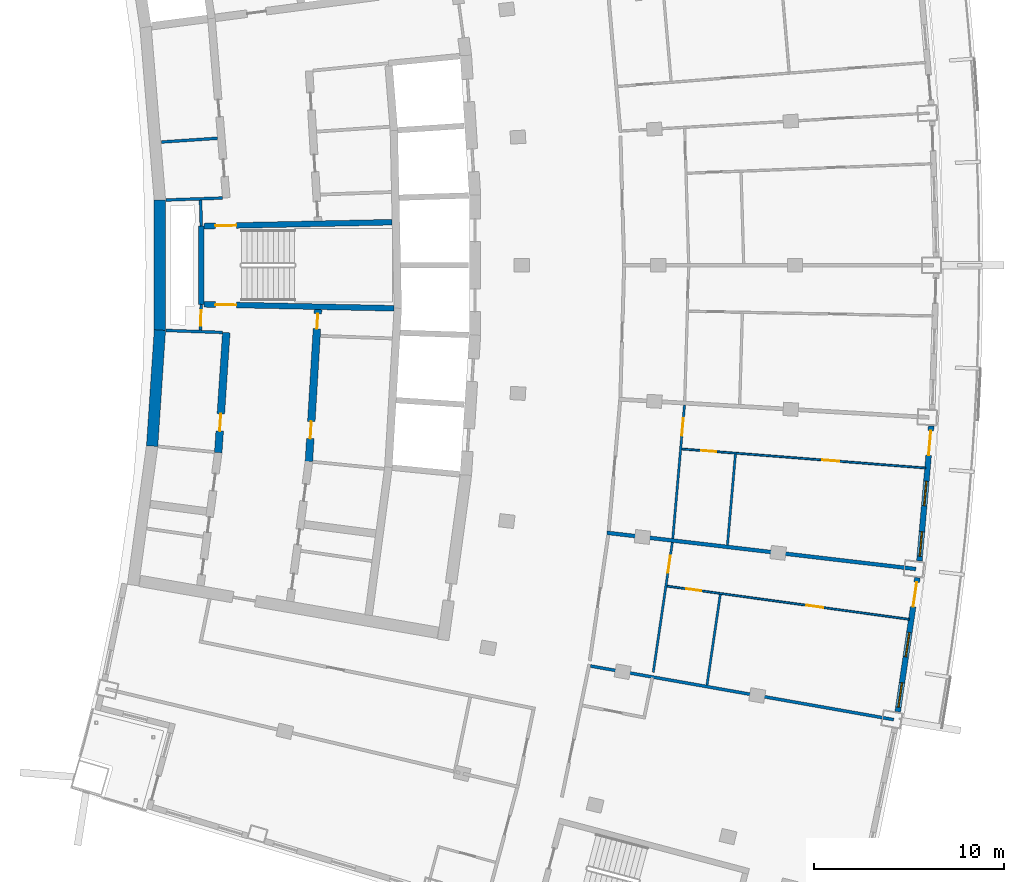
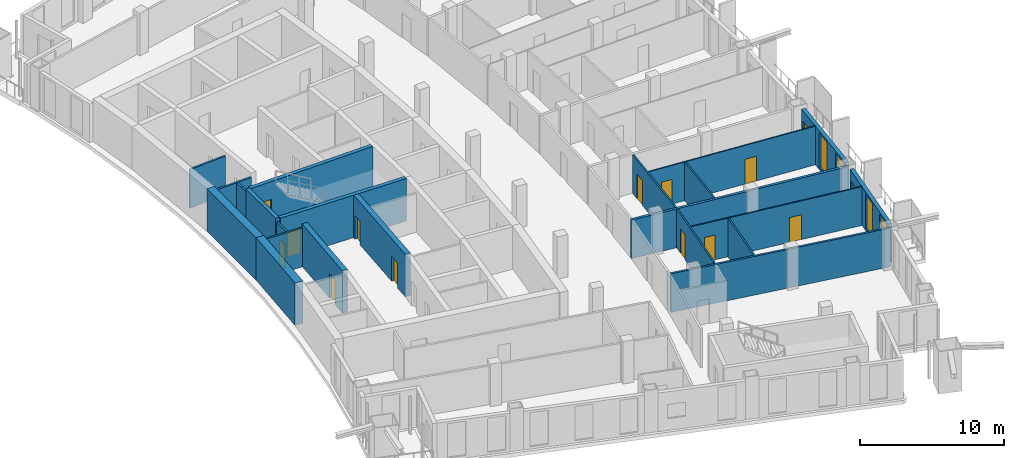
# One storey, part 11 of 19: 22 walls, 14 doors, 4 windows, 18 openings.
"""IFC4 building model written with IfcOpenShell, lengths in metres."""

from ifc_helpers import new_model, si_unit, direction, frame, frame_2d, origin, place, context, subcontext, project, spatial, rectangle, extrude, material, layer, layer_set, type_object, element, fill, save


model = new_model("IFC4")

# Units and contexts
model_context = context("Model", 3, precision=1e-05, world=origin(), true_north=direction((0.0, 1.0)))
body_context = subcontext(model_context, "Body", "Model", "MODEL_VIEW")
ifc_project = project(units=[si_unit("LENGTHUNIT", "METRE"), si_unit("AREAUNIT", "SQUARE_METRE"), si_unit("VOLUMEUNIT", "CUBIC_METRE"), si_unit("PLANEANGLEUNIT", "RADIAN"), si_unit("MASSUNIT", "GRAM", prefix="KILO")], contexts=[model_context])

# Site, building, storey
site_placement = place(None, origin())
site = spatial("IfcSite", under=ifc_project, at=site_placement, CompositionType="ELEMENT")
building_placement = place(site_placement, origin())
building = spatial("IfcBuilding", under=site, at=building_placement, Name="Alderwake Tower", CompositionType="ELEMENT")
storey_placement = place(building_placement, frame((0.0, 0.0, 228.800048828125)))
storey = spatial("IfcBuildingStorey", under=building, at=storey_placement, Name="L57", CompositionType="ELEMENT", Elevation=228.800048828125)

# Wall, opening, door
ifc_material_1 = material(Name="Gypsum shaft wall system, rated")
ifc_layer_1 = layer(ifc_material_1, 0.14990234375)
ifc_layer_set_1 = layer_set([ifc_layer_1], Name="Core room partition 150")
wall_type_1 = type_object("IfcWallType", Name="Core room partition 150", PredefinedType="PARTITIONING", material=ifc_layer_set_1)
wall_1_placement = place(storey_placement, frame((18.918701171875, 58.94384765625, 0.0), z_axis=(0.0, 0.0, 1.0), x_axis=(-0.027811602725, -0.999613182563, 0.0)))
wall_1 = element("IfcWall", 1, at=wall_1_placement, inside=storey, type_object=wall_type_1, Name="CW/L57/PA+24_-37", PredefinedType="PARTITIONING", context=body_context, shape_type="SweptSolid", body=[
    extrude(rectangle(XDim=1.369384765625, YDim=0.14990234375, at=frame_2d((0.6845703125, 0.0))), origin(), (0.0, 0.0, 1.0), 3.280029296875),
])
opening_1_placement = place(wall_1_placement, frame((0.322998046875, 0.0, 0.0)))
opening_1 = element("IfcOpeningElement", 2, at=opening_1_placement, cuts=wall_1, Name="Opening C004", PredefinedType="OPENING", context=body_context, shape_type="SweptSolid", body=[
    extrude(rectangle(XDim=0.800048828125, YDim=2.0, at=frame_2d((0.39990234375, 1.0))), frame((0.0, 0.0849609375, 0.0), z_axis=(0.0, -1.0, 0.0), x_axis=(1.0, 0.0, 0.0)), (0.0, 0.0, 1.0), 0.169921875),
])
ifc_material_2 = material(Name="Painted steel leaf, rated", Category="steel")
door_type_1 = type_object("IfcDoorType", Name="Riser access door 800", OperationType="SINGLE_SWING_LEFT", PredefinedType="DOOR", material=ifc_material_2)
door_1_placement = place(opening_1_placement, origin())
door_1 = element("IfcDoor", 3, at=door_1_placement, inside=storey, type_object=door_type_1, Name="Riser access door", OperationType="SINGLE_SWING_RIGHT", OverallHeight=2.0, OverallWidth=0.800048828125, PredefinedType="DOOR", context=body_context, shape_type="SweptSolid", body=[
    extrude(rectangle(XDim=0.800048828125, YDim=2.0, at=frame_2d((0.39990234375, 1.0))), frame((0.0, 0.02490234375, 0.0), z_axis=(0.0, -1.0, 0.0), x_axis=(1.0, 0.0, 0.0)), (0.0, 0.0, 1.0), 0.050048828125),
])
fill(opening_1, door_1)

# Walls
wall_2_placement = place(storey_placement, frame((18.918701171875, 63.05517578125, 0.0), z_axis=(0.0, 0.0, 1.0), x_axis=(-0.027791791559, 0.99961373356, 0.0)))
element("IfcWall", 4, at=wall_2_placement, inside=storey, type_object=wall_type_1, Name="CW/L57/PA+24_+22", PredefinedType="PARTITIONING", context=body_context, shape_type="SweptSolid", body=[
    extrude(rectangle(XDim=1.370361328125, YDim=0.14990234375, at=frame_2d((0.68505859375, 0.0))), origin(), (0.0, 0.0, 1.0), 3.280029296875),
])
for number, where, z_axis, x_axis, name in (
    (5, (17.0693359375, 57.56396484375, 0.0), (0.0, 0.0, 1.0), (0.999374945052, -0.03535136775, 0.0), "CW/L57/PR-37_+0"),
    (6, (17.0693359375, 64.43603515625, 0.0), (0.0, 0.0, 1.0), (0.999374945052, 0.03535136775, 0.0), "CW/L57/PR+37_+0"),
):
    element("IfcWall", number, at=place(storey_placement, frame(where, z_axis=z_axis, x_axis=x_axis)), inside=storey, type_object=wall_type_1, Name=name, PredefinedType="PARTITIONING", context=body_context, shape_type="SweptSolid", body=[
        extrude(rectangle(XDim=2.9697265625, YDim=0.14990234375, at=frame_2d((1.48486328125, 0.0))), origin(), (0.0, 0.0, 1.0), 3.280029296875),
    ])
wall_3_placement = place(storey_placement, frame((16.81640625, 67.490478515625, 0.0), z_axis=(0.0, 0.0, 1.0), x_axis=(0.997758859926, 0.066912311566, 0.0)))
element("IfcWall", 7, at=wall_3_placement, inside=storey, type_object=wall_type_1, Name="CW/L57/PR+70_+0", PredefinedType="PARTITIONING", context=body_context, shape_type="SweptSolid", body=[
    extrude(rectangle(XDim=2.96630859375, YDim=0.14990234375, at=frame_2d((1.483154296875, 0.0))), origin(), (0.0, 0.0, 1.0), 3.280029296875),
])
ifc_material_3 = material(Name="Concrete C70/85", Category="concrete")
ifc_layer_2 = layer(ifc_material_3, 0.60009765625)
ifc_layer_set_2 = layer_set([ifc_layer_2], Name="Core wall outer 600 C70-85")
wall_type_2 = type_object("IfcWallType", Name="Core wall outer 600 C70-85", PredefinedType="SHEAR", material=ifc_layer_set_2)
wall_4_placement = place(storey_placement, frame((16.330078125, 51.469970703125, 0.0), z_axis=(0.0, 0.0, 1.0), x_axis=(0.066870582109, 0.997761657536, 0.0)))
element("IfcWall", 8, at=wall_4_placement, inside=storey, type_object=wall_type_2, Name="Core wall CW.036", PredefinedType="SHEAR", context=body_context, shape_type="SweptSolid", body=[
    extrude(rectangle(XDim=6.1298828125, YDim=0.60009765625, at=frame_2d((3.06494140625, 0.0))), origin(), (0.0, 0.0, 1.0), 3.599853515625),
])
wall_5_placement = place(storey_placement, frame((16.739501953125, 57.565185546875, 0.0), z_axis=(0.0, 0.0, 1.0), x_axis=(0.0, 1.0, 0.0)))
element("IfcWall", 9, at=wall_5_placement, inside=storey, type_object=wall_type_2, Name="Core wall CW.038", PredefinedType="SHEAR", context=body_context, shape_type="SweptSolid", body=[
    extrude(rectangle(XDim=6.8720703125, YDim=0.60009765625, at=frame_2d((3.43603515625, 0.0))), origin(), (0.0, 0.0, 1.0), 3.599853515625),
])

# Wall, opening, door
ifc_material_4 = material(Name="Concrete C70/85", Category="concrete")
ifc_layer_3 = layer(ifc_material_4, 0.39990234375)
ifc_layer_set_3 = layer_set([ifc_layer_3], Name="Core wall spine 400 C70-85")
wall_type_3 = type_object("IfcWallType", Name="Core wall spine 400 C70-85", PredefinedType="SHEAR", material=ifc_layer_set_3)
wall_6_placement = place(storey_placement, frame((20.2373046875, 57.451904296875, 0.0), z_axis=(0.0, 0.0, 1.0), x_axis=(-0.066884681503, -0.997760712486, 0.0)))
wall_6 = element("IfcWall", 10, at=wall_6_placement, inside=storey, type_object=wall_type_3, Name="Core wall CW.032", PredefinedType="SHEAR", context=body_context, shape_type="SweptSolid", body=[
    extrude(rectangle(XDim=6.336669921875, YDim=0.39990234375, at=frame_2d((3.16845703125, 0.0))), origin(), (0.0, 0.0, 1.0), 3.599853515625),
])
opening_2_placement = place(wall_6_placement, frame((4.297119140625, 0.0, 0.0)))
opening_2 = element("IfcOpeningElement", 11, at=opening_2_placement, cuts=wall_6, Name="Opening C040", PredefinedType="OPENING", context=body_context, shape_type="SweptSolid", body=[
    extrude(rectangle(XDim=0.89990234375, YDim=2.10009765625, at=frame_2d((0.449951171875, 1.050048828125))), frame((0.0, 0.2099609375, 0.0), z_axis=(0.0, -1.0, 0.0), x_axis=(1.0, 0.0, 0.0)), (0.0, 0.0, 1.0), 0.419921875),
])
ifc_material_5 = material(Name="Painted steel leaf", Category="steel")
door_type_2 = type_object("IfcDoorType", Name="Core room door 900", OperationType="SINGLE_SWING_LEFT", PredefinedType="DOOR", material=ifc_material_5)
door_2_placement = place(opening_2_placement, origin())
door_2 = element("IfcDoor", 12, at=door_2_placement, inside=storey, type_object=door_type_2, Name="Room door", OperationType="SINGLE_SWING_RIGHT", OverallHeight=2.10009765625, OverallWidth=0.89990234375, PredefinedType="DOOR", context=body_context, shape_type="SweptSolid", body=[
    extrude(rectangle(XDim=0.89990234375, YDim=2.10009765625, at=frame_2d((0.449951171875, 1.050048828125))), frame((0.0, 0.02490234375, 0.0), z_axis=(0.0, -1.0, 0.0), x_axis=(1.0, 0.0, 0.0)), (0.0, 0.0, 1.0), 0.050048828125),
])
fill(opening_2, door_2)

# Wall, openings, doors
wall_7_placement = place(storey_placement, frame((24.590087890625, 50.65673828125, 0.0), z_axis=(0.0, 0.0, 1.0), x_axis=(0.060318641452, 0.998179173041, 0.0)))
wall_7 = element("IfcWall", 13, at=wall_7_placement, inside=storey, type_object=wall_type_3, Name="Core wall CW.046", PredefinedType="SHEAR", context=body_context, shape_type="SweptSolid", body=[
    extrude(rectangle(XDim=8.022216796875, YDim=0.39990234375, at=frame_2d((4.01123046875, 0.0))), origin(), (0.0, 0.0, 1.0), 3.599853515625),
])
opening_3_placement = place(wall_7_placement, frame((7.006103515625, 0.0, 0.0)))
opening_3 = element("IfcOpeningElement", 14, at=opening_3_placement, cuts=wall_7, Name="Opening C006", PredefinedType="OPENING", context=body_context, shape_type="SweptSolid", body=[
    extrude(rectangle(XDim=0.800048828125, YDim=2.0, at=frame_2d((0.39990234375, 1.0))), frame((0.0, 0.2099609375, 0.0), z_axis=(0.0, -1.0, 0.0), x_axis=(1.0, 0.0, 0.0)), (0.0, 0.0, 1.0), 0.419921875),
])
opening_4_placement = place(wall_7_placement, frame((1.21533203125, 0.0, 0.0)))
opening_4 = element("IfcOpeningElement", 15, at=opening_4_placement, cuts=wall_7, Name="Opening C046", PredefinedType="OPENING", context=body_context, shape_type="SweptSolid", body=[
    extrude(rectangle(XDim=0.89990234375, YDim=2.10009765625, at=frame_2d((0.449951171875, 1.050048828125))), frame((0.0, 0.2099609375, 0.0), z_axis=(0.0, -1.0, 0.0), x_axis=(1.0, 0.0, 0.0)), (0.0, 0.0, 1.0), 0.419921875),
])
door_3_placement = place(opening_4_placement, origin())
door_3 = element("IfcDoor", 16, at=door_3_placement, inside=storey, type_object=door_type_2, Name="Room door", OperationType="SINGLE_SWING_RIGHT", OverallHeight=2.10009765625, OverallWidth=0.89990234375, PredefinedType="DOOR", context=body_context, shape_type="SweptSolid", body=[
    extrude(rectangle(XDim=0.89990234375, YDim=2.10009765625, at=frame_2d((0.449951171875, 1.050048828125))), frame((0.0, 0.02490234375, 0.0), z_axis=(0.0, -1.0, 0.0), x_axis=(1.0, 0.0, 0.0)), (0.0, 0.0, 1.0), 0.050048828125),
])
fill(opening_4, door_3)
door_4_placement = place(opening_3_placement, origin())
door_4 = element("IfcDoor", 17, at=door_4_placement, inside=storey, type_object=door_type_1, Name="Riser access door", OperationType="SINGLE_SWING_RIGHT", OverallHeight=2.0, OverallWidth=0.800048828125, PredefinedType="DOOR", context=body_context, shape_type="SweptSolid", body=[
    extrude(rectangle(XDim=0.800048828125, YDim=2.0, at=frame_2d((0.39990234375, 1.0))), frame((0.0, 0.02490234375, 0.0), z_axis=(0.0, -1.0, 0.0), x_axis=(1.0, 0.0, 0.0)), (0.0, 0.0, 1.0), 0.050048828125),
])
fill(opening_3, door_4)

# Wall
ifc_material_6 = material(Name="Concrete C70/85", Category="concrete")
ifc_layer_4 = layer(ifc_material_6, 0.300048828125)
ifc_layer_set_4 = layer_set([ifc_layer_4], Name="Core wall stair enclosure 300 C70-85")
wall_type_4 = type_object("IfcWallType", Name="Core wall stair enclosure 300 C70-85", PredefinedType="SHEAR", material=ifc_layer_set_4)
wall_8_placement = place(storey_placement, frame((18.918701171875, 58.940673828125, 0.0), z_axis=(0.0, 0.0, 1.0), x_axis=(0.0, 1.0, 0.0)))
element("IfcWall", 18, at=wall_8_placement, inside=storey, type_object=wall_type_4, Name="Core wall CW.024", PredefinedType="SHEAR", context=body_context, shape_type="SweptSolid", body=[
    extrude(rectangle(XDim=4.11962890625, YDim=0.300048828125, at=frame_2d((2.059814453125, 0.0))), origin(), (0.0, 0.0, 1.0), 3.599853515625),
])

# Wall, opening, door
wall_9_placement = place(storey_placement, frame((29.076416015625, 58.73095703125, 0.0), z_axis=(0.0, 0.0, 1.0), x_axis=(-0.99978356433, 0.020804434533, 0.0)))
wall_9 = element("IfcWall", 19, at=wall_9_placement, inside=storey, type_object=wall_type_4, Name="Core wall CW.074", PredefinedType="SHEAR", context=body_context, shape_type="SweptSolid", body=[
    extrude(rectangle(XDim=10.010009765625, YDim=0.300048828125, at=frame_2d((5.0048828125, 0.0))), origin(), (0.0, 0.0, 1.0), 3.599853515625),
])
opening_5_placement = place(wall_9_placement, frame((8.309814453125, 0.0, 0.0)))
opening_5 = element("IfcOpeningElement", 20, at=opening_5_placement, cuts=wall_9, Name="Opening C063", PredefinedType="OPENING", context=body_context, shape_type="SweptSolid", body=[
    extrude(rectangle(XDim=1.10009765625, YDim=2.10009765625, at=frame_2d((0.550048828125, 1.050048828125))), frame((0.0, 0.159912109375, 0.0), z_axis=(0.0, -1.0, 0.0), x_axis=(1.0, 0.0, 0.0)), (0.0, 0.0, 1.0), 0.320068359375),
])
ifc_material_7 = material(Name="Steel-framed fire door leaf", Category="steel")
door_type_3 = type_object("IfcDoorType", Name="Core stair door 1100 fire-rated", OperationType="SINGLE_SWING_LEFT", PredefinedType="DOOR", material=ifc_material_7)
door_5_placement = place(opening_5_placement, origin())
door_5 = element("IfcDoor", 21, at=door_5_placement, inside=storey, type_object=door_type_3, Name="Stair door", OperationType="SINGLE_SWING_RIGHT", OverallHeight=2.10009765625, OverallWidth=1.10009765625, PredefinedType="DOOR", context=body_context, shape_type="SweptSolid", body=[
    extrude(rectangle(XDim=1.10009765625, YDim=2.10009765625, at=frame_2d((0.550048828125, 1.050048828125))), frame((0.0, 0.02490234375, 0.0), z_axis=(0.0, -1.0, 0.0), x_axis=(1.0, 0.0, 0.0)), (0.0, 0.0, 1.0), 0.050048828125),
])
fill(opening_5, door_5)

wall_10_placement = place(storey_placement, frame((19.068603515625, 63.060791015625, 0.0), z_axis=(0.0, 0.0, 1.0), x_axis=(0.999783782948, 0.020793925895, 0.0)))
wall_10 = element("IfcWall", 22, at=wall_10_placement, inside=storey, type_object=wall_type_4, Name="Core wall CW.057", PredefinedType="SHEAR", context=body_context, shape_type="SweptSolid", body=[
    extrude(rectangle(XDim=9.909423828125, YDim=0.300048828125, at=frame_2d((4.95458984375, 0.0))), origin(), (0.0, 0.0, 1.0), 3.599853515625),
])
opening_6_placement = place(wall_10_placement, frame((0.60009765625, 0.0, 0.0)))
opening_6 = element("IfcOpeningElement", 23, at=opening_6_placement, cuts=wall_10, Name="Opening C064", PredefinedType="OPENING", context=body_context, shape_type="SweptSolid", body=[
    extrude(rectangle(XDim=1.10009765625, YDim=2.10009765625, at=frame_2d((0.550048828125, 1.050048828125))), frame((0.0, 0.159912109375, 0.0), z_axis=(0.0, -1.0, 0.0), x_axis=(1.0, 0.0, 0.0)), (0.0, 0.0, 1.0), 0.320068359375),
])
door_6_placement = place(opening_6_placement, origin())
door_6 = element("IfcDoor", 24, at=door_6_placement, inside=storey, type_object=door_type_3, Name="Stair door", OperationType="SINGLE_SWING_LEFT", OverallHeight=2.10009765625, OverallWidth=1.10009765625, PredefinedType="DOOR", context=body_context, shape_type="SweptSolid", body=[
    extrude(rectangle(XDim=1.10009765625, YDim=2.10009765625, at=frame_2d((0.550048828125, 1.050048828125))), frame((0.0, 0.02490234375, 0.0), z_axis=(0.0, -1.0, 0.0), x_axis=(1.0, 0.0, 0.0)), (0.0, 0.0, 1.0), 0.050048828125),
])
fill(opening_6, door_6)

# Wall
ifc_material_8 = material(Name="Gypsum board on metal studs, rated")
ifc_layer_5 = layer(ifc_material_8, 0.159912109375)
ifc_layer_set_5 = layer_set([ifc_layer_5], Name="Corridor wall 160")
wall_type_5 = type_object("IfcWallType", Name="Corridor wall 160", PredefinedType="PARTITIONING", material=ifc_layer_set_5)
wall_11_placement = place(storey_placement, frame((55.40087890625, 37.05908203125, 0.0), z_axis=(0.0, 0.0, 1.0), x_axis=(-0.984730635728, 0.174084965054, 0.0)))
element("IfcWall", 25, at=wall_11_placement, inside=storey, type_object=wall_type_5, Name="WL/L57/W30", PredefinedType="PARTITIONING", context=body_context, shape_type="SweptSolid", body=[
    extrude(rectangle(XDim=16.221923828125, YDim=0.159912109375, at=frame_2d((8.11083984375, 0.0))), origin(), (0.0, 0.0, 1.0), 3.280029296875),
])

# Wall, openings, door, windows
ifc_material_9 = material(Name="Precast concrete C50/60 spandrel panel", Category="concrete")
ifc_layer_6 = layer(ifc_material_9, 0.300048828125)
ifc_layer_set_6 = layer_set([ifc_layer_6], Name="External wall EW1 Precast concrete C50/60 spandrel")
wall_type_6 = type_object("IfcWallType", Name="External wall EW1 Precast concrete C50/60 spandrel", PredefinedType="SOLIDWALL", material=ifc_layer_set_6)
wall_12_placement = place(storey_placement, frame((55.612548828125, 37.4765625, 0.0), z_axis=(0.0, 0.0, 1.0), x_axis=(0.14531565173, 0.989385345233, 0.0)))
wall_12 = element("IfcWall", 26, at=wall_12_placement, inside=storey, type_object=wall_type_6, Name="External wall 13", PredefinedType="SOLIDWALL", context=body_context, shape_type="SweptSolid", body=[
    extrude(rectangle(XDim=7.133544921875, YDim=0.300048828125, at=frame_2d((3.56689453125, 0.0))), origin(), (0.0, 0.0, 1.0), 3.280029296875),
])
opening_7_placement = place(wall_12_placement, frame((0.24560546875, 0.0, 0.199951171875)))
opening_7 = element("IfcOpeningElement", 27, at=opening_7_placement, cuts=wall_12, Name="Opening W1", PredefinedType="OPENING", context=body_context, shape_type="SweptSolid", body=[
    extrude(rectangle(XDim=1.300048828125, YDim=2.89990234375, at=frame_2d((0.64990234375, 1.449951171875))), frame((0.0, 0.159912109375, 0.0), z_axis=(0.0, -1.0, 0.0), x_axis=(1.0, 0.0, 0.0)), (0.0, 0.0, 1.0), 0.320068359375),
])
opening_8_placement = place(wall_12_placement, frame((2.916748046875, 0.0, 0.199951171875)))
opening_8 = element("IfcOpeningElement", 28, at=opening_8_placement, cuts=wall_12, Name="Opening W1", PredefinedType="OPENING", context=body_context, shape_type="SweptSolid", body=[
    extrude(rectangle(XDim=1.300048828125, YDim=2.89990234375, at=frame_2d((0.64990234375, 1.449951171875))), frame((0.0, 0.159912109375, 0.0), z_axis=(0.0, -1.0, 0.0), x_axis=(1.0, 0.0, 0.0)), (0.0, 0.0, 1.0), 0.320068359375),
])
opening_9_placement = place(wall_12_placement, frame((5.588134765625, 0.0, 0.0)))
opening_9 = element("IfcOpeningElement", 29, at=opening_9_placement, cuts=wall_12, Name="Opening D02", PredefinedType="OPENING", context=body_context, shape_type="SweptSolid", body=[
    extrude(rectangle(XDim=1.300048828125, YDim=2.39990234375, at=frame_2d((0.64990234375, 1.199951171875))), frame((0.0, 0.159912109375, 0.0), z_axis=(0.0, -1.0, 0.0), x_axis=(1.0, 0.0, 0.0)), (0.0, 0.0, 1.0), 0.320068359375),
])
ifc_material_10 = material(Name="Bronze tinted glass in aluminium frame", Category="aluminium")
door_type_4 = type_object("IfcDoorType", Name="Balcony door BD sliding", OperationType="SLIDING_TO_LEFT", PredefinedType="DOOR", material=ifc_material_10)
door_7_placement = place(opening_9_placement, origin())
door_7 = element("IfcDoor", 30, at=door_7_placement, inside=storey, type_object=door_type_4, Name="Door D02", OperationType="SLIDING_TO_LEFT", OverallHeight=2.39990234375, OverallWidth=1.300048828125, PredefinedType="DOOR", context=body_context, shape_type="SweptSolid", body=[
    extrude(rectangle(XDim=1.300048828125, YDim=2.39990234375, at=frame_2d((0.64990234375, 1.199951171875))), frame((0.0, 0.02490234375, 0.0), z_axis=(0.0, -1.0, 0.0), x_axis=(1.0, 0.0, 0.0)), (0.0, 0.0, 1.0), 0.050048828125),
])
fill(opening_9, door_7)
ifc_material_11 = material(Name="Bronze tinted glass in aluminium frame", Category="aluminium")
window_type = type_object("IfcWindowType", Name="Window W1 tall fixed and vent", PartitioningType="DOUBLE_PANEL_VERTICAL", PredefinedType="WINDOW", material=ifc_material_11)
window_1_placement = place(opening_7_placement, origin())
window_1 = element("IfcWindow", 31, at=window_1_placement, inside=storey, type_object=window_type, Name="Window W1 tall fixed and vent", OverallHeight=2.89990234375, OverallWidth=1.300048828125, PartitioningType="DOUBLE_PANEL_VERTICAL", PredefinedType="WINDOW", context=body_context, shape_type="SweptSolid", body=[
    extrude(rectangle(XDim=1.300048828125, YDim=2.89990234375, at=frame_2d((0.64990234375, 1.449951171875))), frame((0.0, 0.030029296875, 0.0), z_axis=(0.0, -1.0, 0.0), x_axis=(1.0, 0.0, 0.0)), (0.0, 0.0, 1.0), 0.06005859375),
])
fill(opening_7, window_1)
window_2_placement = place(opening_8_placement, origin())
window_2 = element("IfcWindow", 32, at=window_2_placement, inside=storey, type_object=window_type, Name="Window W1 tall fixed and vent", OverallHeight=2.89990234375, OverallWidth=1.300048828125, PartitioningType="DOUBLE_PANEL_VERTICAL", PredefinedType="WINDOW", context=body_context, shape_type="SweptSolid", body=[
    extrude(rectangle(XDim=1.300048828125, YDim=2.89990234375, at=frame_2d((0.64990234375, 1.449951171875))), frame((0.0, 0.030029296875, 0.0), z_axis=(0.0, -1.0, 0.0), x_axis=(1.0, 0.0, 0.0)), (0.0, 0.0, 1.0), 0.06005859375),
])
fill(opening_8, window_2)

wall_13_placement = place(storey_placement, frame((56.75341796875, 45.4228515625, 0.0), z_axis=(0.0, 0.0, 1.0), x_axis=(0.087372427007, 0.996175716929, 0.0)))
wall_13 = element("IfcWall", 33, at=wall_13_placement, inside=storey, type_object=wall_type_6, Name="External wall 14", PredefinedType="SOLIDWALL", context=body_context, shape_type="SweptSolid", body=[
    extrude(rectangle(XDim=7.1337890625, YDim=0.300048828125, at=frame_2d((3.56689453125, 0.0))), origin(), (0.0, 0.0, 1.0), 3.280029296875),
])
opening_10_placement = place(wall_13_placement, frame((0.24560546875, 0.0, 0.199951171875)))
opening_10 = element("IfcOpeningElement", 34, at=opening_10_placement, cuts=wall_13, Name="Opening W1", PredefinedType="OPENING", context=body_context, shape_type="SweptSolid", body=[
    extrude(rectangle(XDim=1.300048828125, YDim=2.89990234375, at=frame_2d((0.64990234375, 1.449951171875))), frame((0.0, 0.159912109375, 0.0), z_axis=(0.0, -1.0, 0.0), x_axis=(1.0, 0.0, 0.0)), (0.0, 0.0, 1.0), 0.320068359375),
])
opening_11_placement = place(wall_13_placement, frame((2.916748046875, 0.0, 0.199951171875)))
opening_11 = element("IfcOpeningElement", 35, at=opening_11_placement, cuts=wall_13, Name="Opening W1", PredefinedType="OPENING", context=body_context, shape_type="SweptSolid", body=[
    extrude(rectangle(XDim=1.300048828125, YDim=2.89990234375, at=frame_2d((0.64990234375, 1.449951171875))), frame((0.0, 0.159912109375, 0.0), z_axis=(0.0, -1.0, 0.0), x_axis=(1.0, 0.0, 0.0)), (0.0, 0.0, 1.0), 0.320068359375),
])
opening_12_placement = place(wall_13_placement, frame((5.588134765625, 0.0, 0.0)))
opening_12 = element("IfcOpeningElement", 36, at=opening_12_placement, cuts=wall_13, Name="Opening D03", PredefinedType="OPENING", context=body_context, shape_type="SweptSolid", body=[
    extrude(rectangle(XDim=1.300048828125, YDim=2.39990234375, at=frame_2d((0.64990234375, 1.199951171875))), frame((0.0, 0.159912109375, 0.0), z_axis=(0.0, -1.0, 0.0), x_axis=(1.0, 0.0, 0.0)), (0.0, 0.0, 1.0), 0.320068359375),
])
door_8_placement = place(opening_12_placement, origin())
door_8 = element("IfcDoor", 37, at=door_8_placement, inside=storey, type_object=door_type_4, Name="Door D03", OperationType="SLIDING_TO_LEFT", OverallHeight=2.39990234375, OverallWidth=1.300048828125, PredefinedType="DOOR", context=body_context, shape_type="SweptSolid", body=[
    extrude(rectangle(XDim=1.300048828125, YDim=2.39990234375, at=frame_2d((0.64990234375, 1.199951171875))), frame((0.0, 0.02490234375, 0.0), z_axis=(0.0, -1.0, 0.0), x_axis=(1.0, 0.0, 0.0)), (0.0, 0.0, 1.0), 0.050048828125),
])
fill(opening_12, door_8)
window_3_placement = place(opening_10_placement, origin())
window_3 = element("IfcWindow", 38, at=window_3_placement, inside=storey, type_object=window_type, Name="Window W1 tall fixed and vent", OverallHeight=2.89990234375, OverallWidth=1.300048828125, PartitioningType="DOUBLE_PANEL_VERTICAL", PredefinedType="WINDOW", context=body_context, shape_type="SweptSolid", body=[
    extrude(rectangle(XDim=1.300048828125, YDim=2.89990234375, at=frame_2d((0.64990234375, 1.449951171875))), frame((0.0, 0.030029296875, 0.0), z_axis=(0.0, -1.0, 0.0), x_axis=(1.0, 0.0, 0.0)), (0.0, 0.0, 1.0), 0.06005859375),
])
fill(opening_10, window_3)
window_4_placement = place(opening_11_placement, origin())
window_4 = element("IfcWindow", 39, at=window_4_placement, inside=storey, type_object=window_type, Name="Window W1 tall fixed and vent", OverallHeight=2.89990234375, OverallWidth=1.300048828125, PartitioningType="DOUBLE_PANEL_VERTICAL", PredefinedType="WINDOW", context=body_context, shape_type="SweptSolid", body=[
    extrude(rectangle(XDim=1.300048828125, YDim=2.89990234375, at=frame_2d((0.64990234375, 1.449951171875))), frame((0.0, 0.030029296875, 0.0), z_axis=(0.0, -1.0, 0.0), x_axis=(1.0, 0.0, 0.0)), (0.0, 0.0, 1.0), 0.06005859375),
])
fill(opening_11, window_4)

# Wall
ifc_material_12 = material(Name="Dense block masonry wall", Category="masonry")
ifc_layer_7 = layer(ifc_material_12, 0.199951171875)
ifc_layer_set_7 = layer_set([ifc_layer_7], Name="Party wall 200")
wall_type_7 = type_object("IfcWallType", Name="Party wall 200", PredefinedType="SOLIDWALL", material=ifc_layer_set_7)
wall_14_placement = place(storey_placement, frame((56.56494140625, 44.993896484375, 0.0), z_axis=(0.0, 0.0, 1.0), x_axis=(-0.993188503225, 0.116518655426, 0.0)))
element("IfcWall", 40, at=wall_14_placement, inside=storey, type_object=wall_type_7, Name="WL/L57/W03", PredefinedType="SOLIDWALL", context=body_context, shape_type="SweptSolid", body=[
    extrude(rectangle(XDim=16.37890625, YDim=0.199951171875, at=frame_2d((8.189453125, 0.0))), origin(), (0.0, 0.0, 1.0), 3.280029296875),
])

# Wall, openings, doors
ifc_material_13 = material(Name="Gypsum board on metal studs")
ifc_layer_8 = layer(ifc_material_13, 0.10009765625)
ifc_layer_set_8 = layer_set([ifc_layer_8], Name="Unit partition 100")
wall_type_8 = type_object("IfcWallType", Name="Unit partition 100", PredefinedType="PARTITIONING", material=ifc_layer_set_8)
wall_15_placement = place(storey_placement, frame((56.22607421875, 42.342041015625, 0.0), z_axis=(0.0, 0.0, 1.0), x_axis=(-0.990736538088, 0.135798056313, 0.0)))
wall_15 = element("IfcWall", 41, at=wall_15_placement, inside=storey, type_object=wall_type_8, Name="WL/L57/W50", PredefinedType="PARTITIONING", context=body_context, shape_type="SweptSolid", body=[
    extrude(rectangle(XDim=12.885009765625, YDim=0.10009765625, at=frame_2d((6.4423828125, 0.0))), origin(), (0.0, 0.0, 1.0), 3.280029296875),
])
opening_13_placement = place(wall_15_placement, frame((11.0654296875, 0.0, 0.0)))
opening_13 = element("IfcOpeningElement", 42, at=opening_13_placement, cuts=wall_15, Name="Opening R16-U03.3", PredefinedType="OPENING", context=body_context, shape_type="SweptSolid", body=[
    extrude(rectangle(XDim=0.800048828125, YDim=2.10009765625, at=frame_2d((0.39990234375, 1.050048828125))), frame((0.0, 0.06005859375, 0.0), z_axis=(0.0, -1.0, 0.0), x_axis=(1.0, 0.0, 0.0)), (0.0, 0.0, 1.0), 0.1201171875),
])
opening_14_placement = place(wall_15_placement, frame((4.573486328125, 0.0, 0.0)))
opening_14 = element("IfcOpeningElement", 43, at=opening_14_placement, cuts=wall_15, Name="Opening R16-U03.4", PredefinedType="OPENING", context=body_context, shape_type="SweptSolid", body=[
    extrude(rectangle(XDim=0.89990234375, YDim=2.10009765625, at=frame_2d((0.449951171875, 1.050048828125))), frame((0.0, 0.06005859375, 0.0), z_axis=(0.0, -1.0, 0.0), x_axis=(1.0, 0.0, 0.0)), (0.0, 0.0, 1.0), 0.1201171875),
])
ifc_material_14 = material(Name="Painted timber leaf", Category="wood")
door_type_5 = type_object("IfcDoorType", Name="Bathroom door 800", OperationType="SINGLE_SWING_LEFT", PredefinedType="DOOR", material=ifc_material_14)
door_9_placement = place(opening_13_placement, origin())
door_9 = element("IfcDoor", 44, at=door_9_placement, inside=storey, type_object=door_type_5, Name="DR/L57/U03.3", OperationType="SINGLE_SWING_LEFT", OverallHeight=2.10009765625, OverallWidth=0.800048828125, PredefinedType="DOOR", context=body_context, shape_type="SweptSolid", body=[
    extrude(rectangle(XDim=0.800048828125, YDim=2.10009765625, at=frame_2d((0.39990234375, 1.050048828125))), frame((0.0, 0.02490234375, 0.0), z_axis=(0.0, -1.0, 0.0), x_axis=(1.0, 0.0, 0.0)), (0.0, 0.0, 1.0), 0.050048828125),
])
fill(opening_13, door_9)
ifc_material_15 = material(Name="Painted timber leaf", Category="wood")
door_type_6 = type_object("IfcDoorType", Name="Room door 900", OperationType="SINGLE_SWING_LEFT", PredefinedType="DOOR", material=ifc_material_15)
door_10_placement = place(opening_14_placement, origin())
door_10 = element("IfcDoor", 45, at=door_10_placement, inside=storey, type_object=door_type_6, Name="DR/L57/U03.4", OperationType="SINGLE_SWING_LEFT", OverallHeight=2.10009765625, OverallWidth=0.89990234375, PredefinedType="DOOR", context=body_context, shape_type="SweptSolid", body=[
    extrude(rectangle(XDim=0.89990234375, YDim=2.10009765625, at=frame_2d((0.449951171875, 1.050048828125))), frame((0.0, 0.02490234375, 0.0), z_axis=(0.0, -1.0, 0.0), x_axis=(1.0, 0.0, 0.0)), (0.0, 0.0, 1.0), 0.050048828125),
])
fill(opening_14, door_10)

wall_16_placement = place(storey_placement, frame((57.0810546875, 50.31591796875, 0.0), z_axis=(0.0, 0.0, 1.0), x_axis=(-0.99696329067, 0.077872954591, 0.0)))
wall_16 = element("IfcWall", 46, at=wall_16_placement, inside=storey, type_object=wall_type_8, Name="WL/L57/W51", PredefinedType="PARTITIONING", context=body_context, shape_type="SweptSolid", body=[
    extrude(rectangle(XDim=12.88525390625, YDim=0.10009765625, at=frame_2d((6.442626953125, 0.0))), origin(), (0.0, 0.0, 1.0), 3.280029296875),
])
opening_15_placement = place(wall_16_placement, frame((11.065185546875, 0.0, 0.0)))
opening_15 = element("IfcOpeningElement", 47, at=opening_15_placement, cuts=wall_16, Name="Opening R16-U04.3", PredefinedType="OPENING", context=body_context, shape_type="SweptSolid", body=[
    extrude(rectangle(XDim=0.800048828125, YDim=2.10009765625, at=frame_2d((0.39990234375, 1.050048828125))), frame((0.0, 0.06005859375, 0.0), z_axis=(0.0, -1.0, 0.0), x_axis=(1.0, 0.0, 0.0)), (0.0, 0.0, 1.0), 0.1201171875),
])
opening_16_placement = place(wall_16_placement, frame((4.572509765625, 0.0, 0.0)))
opening_16 = element("IfcOpeningElement", 48, at=opening_16_placement, cuts=wall_16, Name="Opening R16-U04.4", PredefinedType="OPENING", context=body_context, shape_type="SweptSolid", body=[
    extrude(rectangle(XDim=0.89990234375, YDim=2.10009765625, at=frame_2d((0.449951171875, 1.050048828125))), frame((0.0, 0.06005859375, 0.0), z_axis=(0.0, -1.0, 0.0), x_axis=(1.0, 0.0, 0.0)), (0.0, 0.0, 1.0), 0.1201171875),
])
door_11_placement = place(opening_15_placement, origin())
door_11 = element("IfcDoor", 49, at=door_11_placement, inside=storey, type_object=door_type_5, Name="DR/L57/U04.3", OperationType="SINGLE_SWING_LEFT", OverallHeight=2.10009765625, OverallWidth=0.800048828125, PredefinedType="DOOR", context=body_context, shape_type="SweptSolid", body=[
    extrude(rectangle(XDim=0.800048828125, YDim=2.10009765625, at=frame_2d((0.39990234375, 1.050048828125))), frame((0.0, 0.02490234375, 0.0), z_axis=(0.0, -1.0, 0.0), x_axis=(1.0, 0.0, 0.0)), (0.0, 0.0, 1.0), 0.050048828125),
])
fill(opening_15, door_11)
door_12_placement = place(opening_16_placement, origin())
door_12 = element("IfcDoor", 50, at=door_12_placement, inside=storey, type_object=door_type_6, Name="DR/L57/U04.4", OperationType="SINGLE_SWING_LEFT", OverallHeight=2.10009765625, OverallWidth=0.89990234375, PredefinedType="DOOR", context=body_context, shape_type="SweptSolid", body=[
    extrude(rectangle(XDim=0.89990234375, YDim=2.10009765625, at=frame_2d((0.449951171875, 1.050048828125))), frame((0.0, 0.02490234375, 0.0), z_axis=(0.0, -1.0, 0.0), x_axis=(1.0, 0.0, 0.0)), (0.0, 0.0, 1.0), 0.050048828125),
])
fill(opening_16, door_12)

# Wall, opening, door
ifc_material_16 = material(Name="Moisture resistant gypsum board on metal studs")
ifc_layer_9 = layer(ifc_material_16, 0.1201171875)
ifc_layer_set_9 = layer_set([ifc_layer_9], Name="Wet room partition 120")
wall_type_9 = type_object("IfcWallType", Name="Wet room partition 120", PredefinedType="PARTITIONING", material=ifc_layer_set_9)
wall_17_placement = place(storey_placement, frame((43.737548828125, 46.39794921875, 0.0), z_axis=(0.0, 0.0, 1.0), x_axis=(-0.14528876176, -0.989389294316, 0.0)))
wall_17 = element("IfcWall", 51, at=wall_17_placement, inside=storey, type_object=wall_type_9, Name="WL/L57/W39", PredefinedType="PARTITIONING", context=body_context, shape_type="SweptSolid", body=[
    extrude(rectangle(XDim=6.918212890625, YDim=0.1201171875, at=frame_2d((3.458984375, 0.0))), origin(), (0.0, 0.0, 1.0), 3.280029296875),
])
opening_17_placement = place(wall_17_placement, frame((0.71142578125, 0.0, 0.0)))
opening_17 = element("IfcOpeningElement", 52, at=opening_17_placement, cuts=wall_17, Name="Opening R16-U03.2", PredefinedType="OPENING", context=body_context, shape_type="SweptSolid", body=[
    extrude(rectangle(XDim=0.89990234375, YDim=2.10009765625, at=frame_2d((0.449951171875, 1.050048828125))), frame((0.0, 0.070068359375, 0.0), z_axis=(0.0, -1.0, 0.0), x_axis=(1.0, 0.0, 0.0)), (0.0, 0.0, 1.0), 0.14013671875),
])
door_13_placement = place(opening_17_placement, origin())
door_13 = element("IfcDoor", 53, at=door_13_placement, inside=storey, type_object=door_type_6, Name="DR/L57/U03.2", OperationType="SINGLE_SWING_LEFT", OverallHeight=2.10009765625, OverallWidth=0.89990234375, PredefinedType="DOOR", context=body_context, shape_type="SweptSolid", body=[
    extrude(rectangle(XDim=0.89990234375, YDim=2.10009765625, at=frame_2d((0.449951171875, 1.050048828125))), frame((0.0, 0.02490234375, 0.0), z_axis=(0.0, -1.0, 0.0), x_axis=(1.0, 0.0, 0.0)), (0.0, 0.0, 1.0), 0.050048828125),
])
fill(opening_17, door_13)

wall_18_placement = place(storey_placement, frame((44.379150390625, 53.63623046875, 0.0), z_axis=(0.0, 0.0, 1.0), x_axis=(-0.087510659507, -0.996163583189, 0.0)))
wall_18 = element("IfcWall", 54, at=wall_18_placement, inside=storey, type_object=wall_type_9, Name="WL/L57/W41", PredefinedType="PARTITIONING", context=body_context, shape_type="SweptSolid", body=[
    extrude(rectangle(XDim=7.066650390625, YDim=0.1201171875, at=frame_2d((3.533203125, 0.0))), origin(), (0.0, 0.0, 1.0), 3.280029296875),
])
opening_18_placement = place(wall_18_placement, frame((0.711181640625, 0.0, 0.0)))
opening_18 = element("IfcOpeningElement", 55, at=opening_18_placement, cuts=wall_18, Name="Opening R16-U04.2", PredefinedType="OPENING", context=body_context, shape_type="SweptSolid", body=[
    extrude(rectangle(XDim=0.89990234375, YDim=2.10009765625, at=frame_2d((0.449951171875, 1.050048828125))), frame((0.0, 0.070068359375, 0.0), z_axis=(0.0, -1.0, 0.0), x_axis=(1.0, 0.0, 0.0)), (0.0, 0.0, 1.0), 0.14013671875),
])
door_14_placement = place(opening_18_placement, origin())
door_14 = element("IfcDoor", 56, at=door_14_placement, inside=storey, type_object=door_type_6, Name="DR/L57/U04.2", OperationType="SINGLE_SWING_LEFT", OverallHeight=2.10009765625, OverallWidth=0.89990234375, PredefinedType="DOOR", context=body_context, shape_type="SweptSolid", body=[
    extrude(rectangle(XDim=0.89990234375, YDim=2.10009765625, at=frame_2d((0.449951171875, 1.050048828125))), frame((0.0, 0.02490234375, 0.0), z_axis=(0.0, -1.0, 0.0), x_axis=(1.0, 0.0, 0.0)), (0.0, 0.0, 1.0), 0.050048828125),
])
fill(opening_18, door_14)

# Walls
wall_19_placement = place(storey_placement, frame((45.563720703125, 38.881103515625, 0.0), z_axis=(0.0, 0.0, 1.0), x_axis=(0.145194059343, 0.989403196443, 0.0)))
element("IfcWall", 57, at=wall_19_placement, inside=storey, type_object=wall_type_9, Name="WL/L57/W44", PredefinedType="PARTITIONING", context=body_context, shape_type="SweptSolid", body=[
    extrude(rectangle(XDim=4.82763671875, YDim=0.1201171875, at=frame_2d((2.413818359375, 0.0))), origin(), (0.0, 0.0, 1.0), 3.280029296875),
])
wall_20_placement = place(storey_placement, frame((46.640869140625, 46.2578125, 0.0), z_axis=(0.0, 0.0, 1.0), x_axis=(0.087714452347, 0.996145659454, 0.0)))
element("IfcWall", 58, at=wall_20_placement, inside=storey, type_object=wall_type_9, Name="WL/L57/W45", PredefinedType="PARTITIONING", context=body_context, shape_type="SweptSolid", body=[
    extrude(rectangle(XDim=4.806884765625, YDim=0.1201171875, at=frame_2d((2.4033203125, 0.0))), origin(), (0.0, 0.0, 1.0), 3.280029296875),
])

save(model, "model.ifc")
